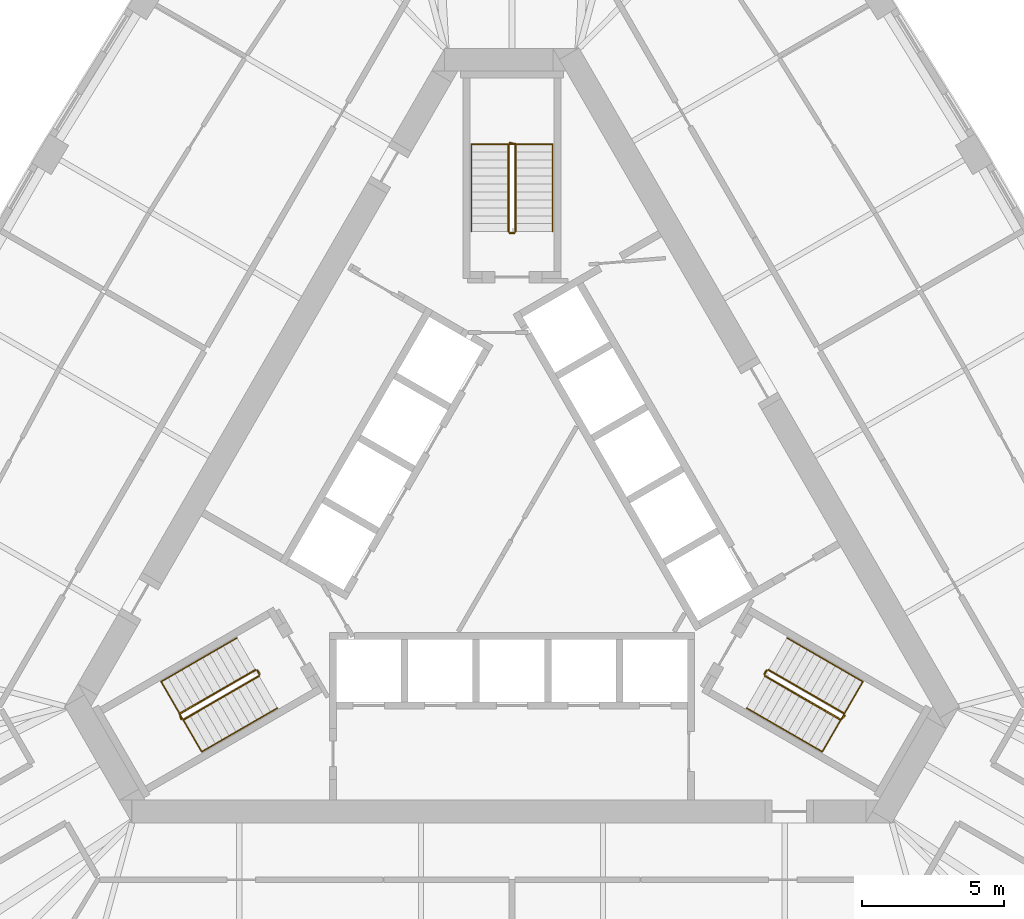
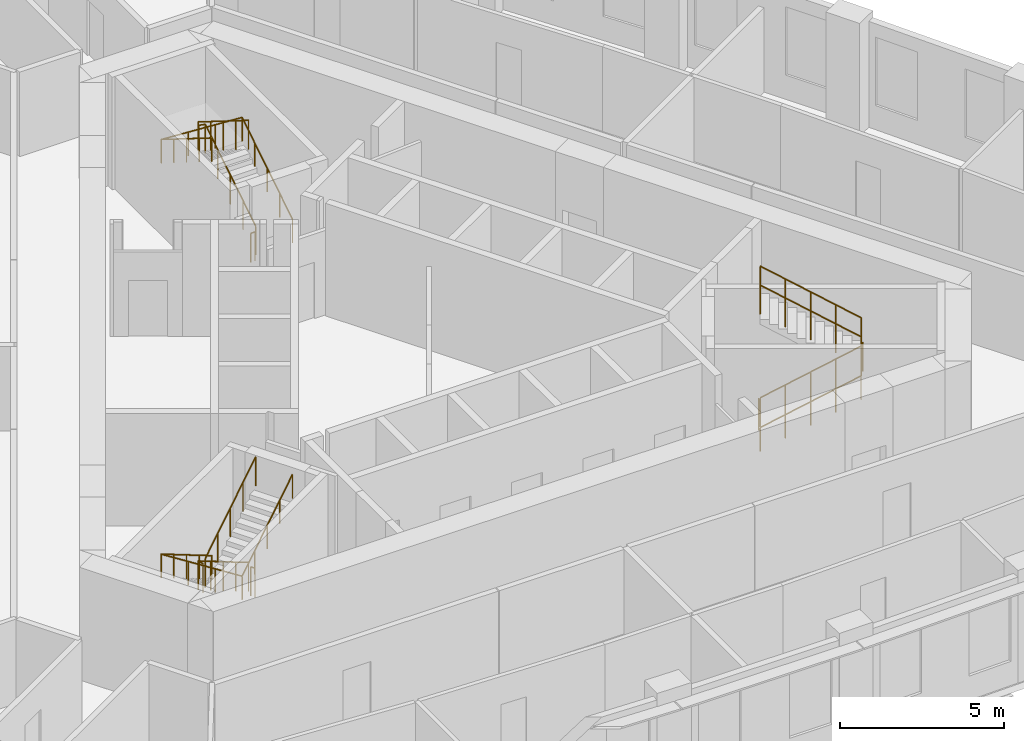
# One storey, part 10 of 10: 12 railings.
"""IFC4 building model written with IfcOpenShell, lengths in metres."""

from ifc_helpers import new_model, si_unit, direction, frame, origin, origin_2d, place, context, subcontext, project, spatial, circle, extrude, material, type_object, element, save


model = new_model("IFC4")

# Units and contexts
model_context = context("Model", 3, precision=1e-05, world=origin(), true_north=direction((0.0, 1.0)))
body_context = subcontext(model_context, "Body", "Model", "MODEL_VIEW")
ifc_project = project(units=[si_unit("LENGTHUNIT", "METRE"), si_unit("AREAUNIT", "SQUARE_METRE"), si_unit("VOLUMEUNIT", "CUBIC_METRE"), si_unit("PLANEANGLEUNIT", "RADIAN"), si_unit("MASSUNIT", "GRAM", prefix="KILO")], contexts=[model_context])

# Site, building, storey
site_placement = place(None, origin())
site = spatial("IfcSite", under=ifc_project, at=site_placement, CompositionType="ELEMENT")
building_placement = place(site_placement, origin())
building = spatial("IfcBuilding", under=site, at=building_placement, Name="Mestral Congress Tower", CompositionType="ELEMENT")
storey_placement = place(building_placement, frame((0.0, 0.0, 162.60009765625)))
storey = spatial("IfcBuildingStorey", under=building, at=storey_placement, Name="L38", CompositionType="ELEMENT", Elevation=162.60009765625)

# Railings
ifc_material_1 = material(Name="Steel balustrade", Category="steel")
railing_type_1 = type_object("IfcRailingType", Name="Stair guard 1100", PredefinedType="GUARDRAIL", material=ifc_material_1)
railing_1_placement = place(storey_placement, frame((8.90087890625, -5.283203125, 0.1748046875)))
element("IfcRailing", 1, at=railing_1_placement, inside=storey, type_object=railing_type_1, Name="L38 ST1 stair guard 1", PredefinedType="GUARDRAIL", context=body_context, shape_type="SweptSolid", body=[
    extrude(circle(Radius=0.02392578125, at=origin_2d()), frame((0.0, 0.0, 1.076171875), z_axis=(0.734364028329, -0.424015404183, 0.530019255228), x_axis=(0.500026652407, 0.866010015463, 0.0)), (0.0, 0.0, 1.0), 3.632080078125),
    extrude(circle(Radius=0.02392578125, at=origin_2d()), frame((2.667236328125, -1.5400390625, 3.0009765625), z_axis=(0.695164929852, 0.718850276695, 0.0), x_axis=(-0.718850276695, 0.695164929852, 0.0)), (0.0, 0.0, 1.0), 0.2060546875),
    extrude(circle(Radius=0.02099609375, at=origin_2d()), origin(), (0.0, 0.0, 1.0), 1.052001953125),
    extrude(circle(Radius=0.02099609375, at=origin_2d()), frame((0.666748046875, -0.385009765625, 0.481201171875)), (0.0, 0.0, 1.0), 1.052001953125),
    extrude(circle(Radius=0.02099609375, at=origin_2d()), frame((1.33349609375, -0.77001953125, 0.96240234375)), (0.0, 0.0, 1.0), 1.052001953125),
    extrude(circle(Radius=0.02099609375, at=origin_2d()), frame((2.00048828125, -1.155029296875, 1.44384765625)), (0.0, 0.0, 1.0), 1.052001953125),
    extrude(circle(Radius=0.02099609375, at=origin_2d()), frame((2.667236328125, -1.5400390625, 1.925048828125)), (0.0, 0.0, 1.0), 1.052001953125),
    extrude(circle(Radius=0.02099609375, at=origin_2d()), frame((2.810546875, -1.391845703125, 1.925048828125)), (0.0, 0.0, 1.0), 1.052001953125),
])
railing_2_placement = place(storey_placement, frame((11.693115234375, -6.606689453125, 2.27490234375)))
element("IfcRailing", 2, at=railing_2_placement, inside=storey, type_object=railing_type_1, Name="L38 ST1 stair guard 2", PredefinedType="GUARDRAIL", context=body_context, shape_type="SweptSolid", body=[
    extrude(circle(Radius=0.02392578125, at=origin_2d()), frame((0.0, 0.0, 1.076171875), z_axis=(-0.734364028329, 0.424015404183, 0.530019255228), x_axis=(-0.500026652407, -0.866010015463, 0.0)), (0.0, 0.0, 1.0), 3.632080078125),
    extrude(circle(Radius=0.02099609375, at=origin_2d()), origin(), (0.0, 0.0, 1.0), 1.052001953125),
    extrude(circle(Radius=0.02099609375, at=origin_2d()), frame((-0.666748046875, 0.385009765625, 0.481201171875)), (0.0, 0.0, 1.0), 1.052001953125),
    extrude(circle(Radius=0.02099609375, at=origin_2d()), frame((-1.33349609375, 0.77001953125, 0.96240234375)), (0.0, 0.0, 1.0), 1.052001953125),
    extrude(circle(Radius=0.02099609375, at=origin_2d()), frame((-2.00048828125, 1.155029296875, 1.44384765625)), (0.0, 0.0, 1.0), 1.052001953125),
    extrude(circle(Radius=0.02099609375, at=origin_2d()), frame((-2.667236328125, 1.5400390625, 1.925048828125)), (0.0, 0.0, 1.0), 1.052001953125),
])
railing_3_placement = place(storey_placement, frame((8.882568359375, -5.21484375, 0.0)))
element("IfcRailing", 3, at=railing_3_placement, inside=storey, type_object=railing_type_1, Name="L38 ST1 stair guard 3", PredefinedType="GUARDRAIL", context=body_context, shape_type="SweptSolid", body=[
    extrude(circle(Radius=0.02392578125, at=origin_2d()), frame((0.0, 0.0, 1.076171875), z_axis=(0.499816412211, 0.866131372301, 0.0), x_axis=(-0.866131372301, 0.499816412211, 0.0)), (0.0, 0.0, 1.0), 0.14990234375),
    extrude(circle(Radius=0.02099609375, at=origin_2d()), origin(), (0.0, 0.0, 1.0), 1.052001953125),
    extrude(circle(Radius=0.02099609375, at=origin_2d()), frame((0.074951171875, 0.1298828125, 0.0)), (0.0, 0.0, 1.0), 1.052001953125),
])
railing_4_placement = place(storey_placement, frame((0.125, 10.35009765625, 0.1748046875)))
element("IfcRailing", 4, at=railing_4_placement, inside=storey, type_object=railing_type_1, Name="L38 ST2 stair guard 1", PredefinedType="GUARDRAIL", context=body_context, shape_type="SweptSolid", body=[
    extrude(circle(Radius=0.02392578125, at=origin_2d()), frame((0.0, 0.0, 1.076171875), z_axis=(0.0, 0.847979421464, 0.530029150871), x_axis=(-1.0, 0.0, 0.0)), (0.0, 0.0, 1.0), 3.632080078125),
    extrude(circle(Radius=0.02392578125, at=origin_2d()), frame((0.0, 3.079833984375, 3.0009765625), z_axis=(-0.970072785993, 0.242814311512, 0.0), x_axis=(-0.242814311512, -0.970072785993, 0.0)), (0.0, 0.0, 1.0), 0.2060546875),
    extrude(circle(Radius=0.02099609375, at=origin_2d()), origin(), (0.0, 0.0, 1.0), 1.052001953125),
    extrude(circle(Radius=0.02099609375, at=origin_2d()), frame((0.0, 0.77001953125, 0.481201171875)), (0.0, 0.0, 1.0), 1.052001953125),
    extrude(circle(Radius=0.02099609375, at=origin_2d()), frame((0.0, 1.5400390625, 0.96240234375)), (0.0, 0.0, 1.0), 1.052001953125),
    extrude(circle(Radius=0.02099609375, at=origin_2d()), frame((0.0, 2.309814453125, 1.44384765625)), (0.0, 0.0, 1.0), 1.052001953125),
    extrude(circle(Radius=0.02099609375, at=origin_2d()), frame((0.0, 3.079833984375, 1.925048828125)), (0.0, 0.0, 1.0), 1.052001953125),
    extrude(circle(Radius=0.02099609375, at=origin_2d()), frame((-0.199951171875, 3.1298828125, 1.925048828125)), (0.0, 0.0, 1.0), 1.052001953125),
])
railing_5_placement = place(storey_placement, frame((-0.125, 13.429931640625, 2.27490234375)))
element("IfcRailing", 5, at=railing_5_placement, inside=storey, type_object=railing_type_1, Name="L38 ST2 stair guard 2", PredefinedType="GUARDRAIL", context=body_context, shape_type="SweptSolid", body=[
    extrude(circle(Radius=0.02392578125, at=origin_2d()), frame((0.0, 0.0, 1.076171875), z_axis=(0.0, -0.847979421464, 0.530029150871), x_axis=(1.0, 0.0, 0.0)), (0.0, 0.0, 1.0), 3.632080078125),
    extrude(circle(Radius=0.02099609375, at=origin_2d()), origin(), (0.0, 0.0, 1.0), 1.052001953125),
    extrude(circle(Radius=0.02099609375, at=origin_2d()), frame((0.0, -0.77001953125, 0.481201171875)), (0.0, 0.0, 1.0), 1.052001953125),
    extrude(circle(Radius=0.02099609375, at=origin_2d()), frame((0.0, -1.5400390625, 0.96240234375)), (0.0, 0.0, 1.0), 1.052001953125),
    extrude(circle(Radius=0.02099609375, at=origin_2d()), frame((0.0, -2.309814453125, 1.44384765625)), (0.0, 0.0, 1.0), 1.052001953125),
    extrude(circle(Radius=0.02099609375, at=origin_2d()), frame((0.0, -3.079833984375, 1.925048828125)), (0.0, 0.0, 1.0), 1.052001953125),
])
railing_6_placement = place(storey_placement, frame((0.074951171875, 10.300048828125, 0.0)))
element("IfcRailing", 6, at=railing_6_placement, inside=storey, type_object=railing_type_1, Name="L38 ST2 stair guard 3", PredefinedType="GUARDRAIL", context=body_context, shape_type="SweptSolid", body=[
    extrude(circle(Radius=0.02392578125, at=origin_2d()), frame((0.0, 0.0, 1.076171875), z_axis=(-1.0, 0.0, 0.0), x_axis=(0.0, -1.0, 0.0)), (0.0, 0.0, 1.0), 0.14990234375),
    extrude(circle(Radius=0.02099609375, at=origin_2d()), origin(), (0.0, 0.0, 1.0), 1.052001953125),
    extrude(circle(Radius=0.02099609375, at=origin_2d()), frame((-0.14990234375, 0.0, 0.0)), (0.0, 0.0, 1.0), 1.052001953125),
])
railing_7_placement = place(storey_placement, frame((-9.02587890625, -5.066650390625, 0.1748046875)))
element("IfcRailing", 7, at=railing_7_placement, inside=storey, type_object=railing_type_1, Name="L38 ST3 stair guard 1", PredefinedType="GUARDRAIL", context=body_context, shape_type="SweptSolid", body=[
    extrude(circle(Radius=0.02392578125, at=origin_2d()), frame((0.0, 0.0, 1.076171875), z_axis=(-0.734364028329, -0.424015404183, 0.530019255228), x_axis=(0.500026652407, -0.866010015463, 0.0)), (0.0, 0.0, 1.0), 3.632080078125),
    extrude(circle(Radius=0.02392578125, at=origin_2d()), frame((-2.667236328125, -1.5400390625, 3.0009765625), z_axis=(0.274721127897, -0.961523947641, 0.0), x_axis=(0.961523947641, 0.274721127897, 0.0)), (0.0, 0.0, 1.0), 0.2060546875),
    extrude(circle(Radius=0.02099609375, at=origin_2d()), origin(), (0.0, 0.0, 1.0), 1.052001953125),
    extrude(circle(Radius=0.02099609375, at=origin_2d()), frame((-0.666748046875, -0.385009765625, 0.481201171875)), (0.0, 0.0, 1.0), 1.052001953125),
    extrude(circle(Radius=0.02099609375, at=origin_2d()), frame((-1.33349609375, -0.77001953125, 0.96240234375)), (0.0, 0.0, 1.0), 1.052001953125),
    extrude(circle(Radius=0.02099609375, at=origin_2d()), frame((-2.00048828125, -1.155029296875, 1.44384765625)), (0.0, 0.0, 1.0), 1.052001953125),
    extrude(circle(Radius=0.02099609375, at=origin_2d()), frame((-2.667236328125, -1.5400390625, 1.925048828125)), (0.0, 0.0, 1.0), 1.052001953125),
    extrude(circle(Radius=0.02099609375, at=origin_2d()), frame((-2.610595703125, -1.73828125, 1.925048828125)), (0.0, 0.0, 1.0), 1.052001953125),
])
railing_8_placement = place(storey_placement, frame((-11.568115234375, -6.8232421875, 2.27490234375)))
element("IfcRailing", 8, at=railing_8_placement, inside=storey, type_object=railing_type_1, Name="L38 ST3 stair guard 2", PredefinedType="GUARDRAIL", context=body_context, shape_type="SweptSolid", body=[
    extrude(circle(Radius=0.02392578125, at=origin_2d()), frame((0.0, 0.0, 1.076171875), z_axis=(0.734364028329, 0.424015404183, 0.530019255228), x_axis=(-0.500026652407, 0.866010015463, 0.0)), (0.0, 0.0, 1.0), 3.632080078125),
    extrude(circle(Radius=0.02099609375, at=origin_2d()), origin(), (0.0, 0.0, 1.0), 1.052001953125),
    extrude(circle(Radius=0.02099609375, at=origin_2d()), frame((0.666748046875, 0.385009765625, 0.481201171875)), (0.0, 0.0, 1.0), 1.052001953125),
    extrude(circle(Radius=0.02099609375, at=origin_2d()), frame((1.33349609375, 0.77001953125, 0.96240234375)), (0.0, 0.0, 1.0), 1.052001953125),
    extrude(circle(Radius=0.02099609375, at=origin_2d()), frame((2.00048828125, 1.155029296875, 1.44384765625)), (0.0, 0.0, 1.0), 1.052001953125),
    extrude(circle(Radius=0.02099609375, at=origin_2d()), frame((2.667236328125, 1.5400390625, 1.925048828125)), (0.0, 0.0, 1.0), 1.052001953125),
])
railing_9_placement = place(storey_placement, frame((-8.95751953125, -5.0849609375, 0.0)))
element("IfcRailing", 9, at=railing_9_placement, inside=storey, type_object=railing_type_1, Name="L38 ST3 stair guard 3", PredefinedType="GUARDRAIL", context=body_context, shape_type="SweptSolid", body=[
    extrude(circle(Radius=0.02392578125, at=origin_2d()), frame((0.0, 0.0, 1.076171875), z_axis=(0.499816412211, -0.866131372301, 0.0), x_axis=(0.866131372301, 0.499816412211, 0.0)), (0.0, 0.0, 1.0), 0.14990234375),
    extrude(circle(Radius=0.02099609375, at=origin_2d()), origin(), (0.0, 0.0, 1.0), 1.052001953125),
    extrude(circle(Radius=0.02099609375, at=origin_2d()), frame((0.074951171875, -0.1298828125, 0.0)), (0.0, 0.0, 1.0), 1.052001953125),
])
ifc_material_2 = material(Name="Steel handrail", Category="steel")
railing_type_2 = type_object("IfcRailingType", Name="Stair handrail 900", PredefinedType="HANDRAIL", material=ifc_material_2)
railing_10_placement = place(storey_placement, frame((8.2509765625, -6.4091796875, 0.1748046875)))
element("IfcRailing", 10, at=railing_10_placement, inside=storey, type_object=railing_type_2, Name="L38 ST1 stair handrail 1", PredefinedType="HANDRAIL", context=body_context, shape_type="SweptSolid", body=[
    extrude(circle(Radius=0.02392578125, at=origin_2d()), frame((0.0, 0.0, 0.8759765625), z_axis=(0.734384958227, -0.423960268333, 0.530034361155), x_axis=(0.499967199496, 0.866044340336, 0.0)), (0.0, 0.0, 1.0), 3.6318359375),
    extrude(circle(Radius=0.02392578125, at=origin_2d()), frame((2.667236328125, -1.539794921875, 2.80078125), z_axis=(0.499095769026, 0.864375386171, 0.061307463833), x_axis=(-0.866004402611, 0.500036373335, 0.0)), (0.0, 0.0, 1.0), 2.855224609375),
    extrude(circle(Radius=0.02392578125, at=origin_2d()), frame((4.09228515625, 0.92822265625, 2.97607421875), z_axis=(-0.734394994316, 0.423994474112, 0.52999309264), x_axis=(-0.499992328818, -0.866029832698, 0.0)), (0.0, 0.0, 1.0), 3.63232421875),
    extrude(circle(Radius=0.02099609375, at=origin_2d()), origin(), (0.0, 0.0, 1.0), 0.851806640625),
    extrude(circle(Radius=0.02099609375, at=origin_2d()), frame((0.666748046875, -0.385009765625, 0.481201171875)), (0.0, 0.0, 1.0), 0.851806640625),
    extrude(circle(Radius=0.02099609375, at=origin_2d()), frame((1.33349609375, -0.77001953125, 0.96240234375)), (0.0, 0.0, 1.0), 0.851806640625),
    extrude(circle(Radius=0.02099609375, at=origin_2d()), frame((2.00048828125, -1.15478515625, 1.44384765625)), (0.0, 0.0, 1.0), 0.851806640625),
    extrude(circle(Radius=0.02099609375, at=origin_2d()), frame((2.667236328125, -1.539794921875, 1.925048828125)), (0.0, 0.0, 1.0), 0.851806640625),
    extrude(circle(Radius=0.02099609375, at=origin_2d()), frame((3.142333984375, -0.717041015625, 1.9833984375)), (0.0, 0.0, 1.0), 0.851806640625),
    extrude(circle(Radius=0.02099609375, at=origin_2d()), frame((3.6171875, 0.10546875, 2.041748046875)), (0.0, 0.0, 1.0), 0.851806640625),
    extrude(circle(Radius=0.02099609375, at=origin_2d()), frame((4.09228515625, 0.92822265625, 2.10009765625)), (0.0, 0.0, 1.0), 0.851806640625),
    extrude(circle(Radius=0.02099609375, at=origin_2d()), frame((3.42529296875, 1.313232421875, 2.581298828125)), (0.0, 0.0, 1.0), 0.851806640625),
    extrude(circle(Radius=0.02099609375, at=origin_2d()), frame((2.758544921875, 1.6982421875, 3.0625)), (0.0, 0.0, 1.0), 0.851806640625),
    extrude(circle(Radius=0.02099609375, at=origin_2d()), frame((2.091796875, 2.083251953125, 3.5439453125)), (0.0, 0.0, 1.0), 0.851806640625),
    extrude(circle(Radius=0.02099609375, at=origin_2d()), frame((1.4248046875, 2.46826171875, 4.025146484375)), (0.0, 0.0, 1.0), 0.851806640625),
])
railing_11_placement = place(storey_placement, frame((1.425048828125, 10.35009765625, 0.1748046875)))
element("IfcRailing", 11, at=railing_11_placement, inside=storey, type_object=railing_type_2, Name="L38 ST2 stair handrail 1", PredefinedType="HANDRAIL", context=body_context, shape_type="SweptSolid", body=[
    extrude(circle(Radius=0.02392578125, at=origin_2d()), frame((0.0, 0.0, 0.8759765625), z_axis=(0.0, 0.847979421464, 0.530029150871), x_axis=(-1.0, 0.0, 0.0)), (0.0, 0.0, 1.0), 3.632080078125),
    extrude(circle(Radius=0.02392578125, at=origin_2d()), frame((0.0, 3.079833984375, 2.80078125), z_axis=(-0.998119201106, 0.0, 0.061303021003), x_axis=(0.0, -1.0, 0.0)), (0.0, 0.0, 1.0), 2.85546875),
    extrude(circle(Radius=0.02392578125, at=origin_2d()), frame((-2.85009765625, 3.079833984375, 2.97607421875), z_axis=(0.0, -0.847979421464, 0.530029150871), x_axis=(1.0, 0.0, 0.0)), (0.0, 0.0, 1.0), 3.632080078125),
    extrude(circle(Radius=0.02099609375, at=origin_2d()), origin(), (0.0, 0.0, 1.0), 0.851806640625),
    extrude(circle(Radius=0.02099609375, at=origin_2d()), frame((0.0, 0.77001953125, 0.481201171875)), (0.0, 0.0, 1.0), 0.851806640625),
    extrude(circle(Radius=0.02099609375, at=origin_2d()), frame((0.0, 1.5400390625, 0.96240234375)), (0.0, 0.0, 1.0), 0.851806640625),
    extrude(circle(Radius=0.02099609375, at=origin_2d()), frame((0.0, 2.309814453125, 1.44384765625)), (0.0, 0.0, 1.0), 0.851806640625),
    extrude(circle(Radius=0.02099609375, at=origin_2d()), frame((0.0, 3.079833984375, 1.925048828125)), (0.0, 0.0, 1.0), 0.851806640625),
    extrude(circle(Radius=0.02099609375, at=origin_2d()), frame((-0.949951171875, 3.079833984375, 1.9833984375)), (0.0, 0.0, 1.0), 0.851806640625),
    extrude(circle(Radius=0.02099609375, at=origin_2d()), frame((-1.900146484375, 3.079833984375, 2.041748046875)), (0.0, 0.0, 1.0), 0.851806640625),
    extrude(circle(Radius=0.02099609375, at=origin_2d()), frame((-2.85009765625, 3.079833984375, 2.10009765625)), (0.0, 0.0, 1.0), 0.851806640625),
    extrude(circle(Radius=0.02099609375, at=origin_2d()), frame((-2.85009765625, 2.309814453125, 2.581298828125)), (0.0, 0.0, 1.0), 0.851806640625),
    extrude(circle(Radius=0.02099609375, at=origin_2d()), frame((-2.85009765625, 1.5400390625, 3.0625)), (0.0, 0.0, 1.0), 0.851806640625),
    extrude(circle(Radius=0.02099609375, at=origin_2d()), frame((-2.85009765625, 0.77001953125, 3.5439453125)), (0.0, 0.0, 1.0), 0.851806640625),
    extrude(circle(Radius=0.02099609375, at=origin_2d()), frame((-2.85009765625, 0.0, 4.025146484375)), (0.0, 0.0, 1.0), 0.851806640625),
])
railing_12_placement = place(storey_placement, frame((-9.67578125, -3.94091796875, 0.1748046875)))
element("IfcRailing", 12, at=railing_12_placement, inside=storey, type_object=railing_type_2, Name="L38 ST3 stair handrail 1", PredefinedType="HANDRAIL", context=body_context, shape_type="SweptSolid", body=[
    extrude(circle(Radius=0.02392578125, at=origin_2d()), frame((0.0, 0.0, 0.8759765625), z_axis=(-0.734394994316, -0.423994474112, 0.52999309264), x_axis=(0.499992328818, -0.866029832698, 0.0)), (0.0, 0.0, 1.0), 3.63232421875),
    extrude(circle(Radius=0.02392578125, at=origin_2d()), frame((-2.66748046875, -1.5400390625, 2.80078125), z_axis=(0.499095769026, -0.864375386171, 0.061307463833), x_axis=(0.866004402611, 0.500036373335, 0.0)), (0.0, 0.0, 1.0), 2.855224609375),
    extrude(circle(Radius=0.02392578125, at=origin_2d()), frame((-1.242431640625, -4.008056640625, 2.97607421875), z_axis=(0.734384958227, 0.423960268333, 0.530034361155), x_axis=(-0.499967199496, 0.866044340336, 0.0)), (0.0, 0.0, 1.0), 3.6318359375),
    extrude(circle(Radius=0.02099609375, at=origin_2d()), origin(), (0.0, 0.0, 1.0), 0.851806640625),
    extrude(circle(Radius=0.02099609375, at=origin_2d()), frame((-0.6669921875, -0.385009765625, 0.481201171875)), (0.0, 0.0, 1.0), 0.851806640625),
    extrude(circle(Radius=0.02099609375, at=origin_2d()), frame((-1.333740234375, -0.77001953125, 0.96240234375)), (0.0, 0.0, 1.0), 0.851806640625),
    extrude(circle(Radius=0.02099609375, at=origin_2d()), frame((-2.00048828125, -1.155029296875, 1.44384765625)), (0.0, 0.0, 1.0), 0.851806640625),
    extrude(circle(Radius=0.02099609375, at=origin_2d()), frame((-2.66748046875, -1.5400390625, 1.925048828125)), (0.0, 0.0, 1.0), 0.851806640625),
    extrude(circle(Radius=0.02099609375, at=origin_2d()), frame((-2.1923828125, -2.36279296875, 1.9833984375)), (0.0, 0.0, 1.0), 0.851806640625),
    extrude(circle(Radius=0.02099609375, at=origin_2d()), frame((-1.717529296875, -3.185302734375, 2.041748046875)), (0.0, 0.0, 1.0), 0.851806640625),
    extrude(circle(Radius=0.02099609375, at=origin_2d()), frame((-1.242431640625, -4.008056640625, 2.10009765625)), (0.0, 0.0, 1.0), 0.851806640625),
    extrude(circle(Radius=0.02099609375, at=origin_2d()), frame((-0.57568359375, -3.623046875, 2.581298828125)), (0.0, 0.0, 1.0), 0.851806640625),
    extrude(circle(Radius=0.02099609375, at=origin_2d()), frame((0.09130859375, -3.23828125, 3.0625)), (0.0, 0.0, 1.0), 0.851806640625),
    extrude(circle(Radius=0.02099609375, at=origin_2d()), frame((0.758056640625, -2.853271484375, 3.5439453125)), (0.0, 0.0, 1.0), 0.851806640625),
    extrude(circle(Radius=0.02099609375, at=origin_2d()), frame((1.4248046875, -2.46826171875, 4.025146484375)), (0.0, 0.0, 1.0), 0.851806640625),
])

save(model, "model.ifc")
